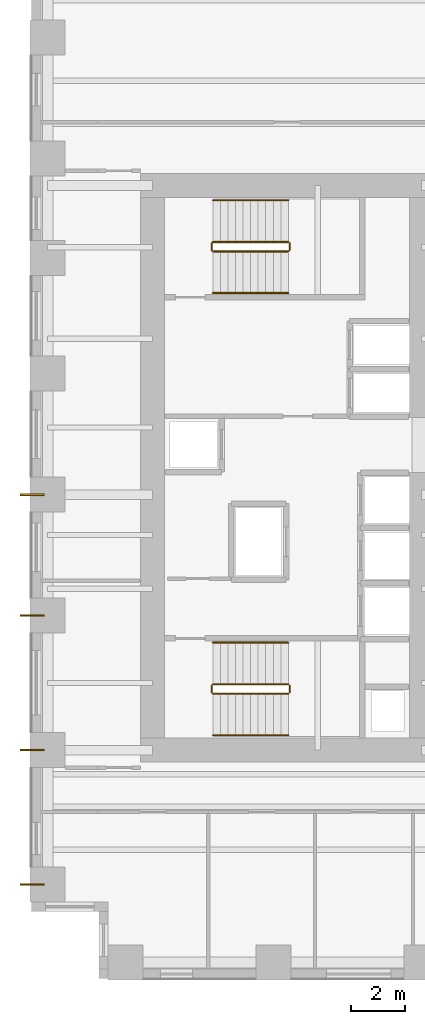
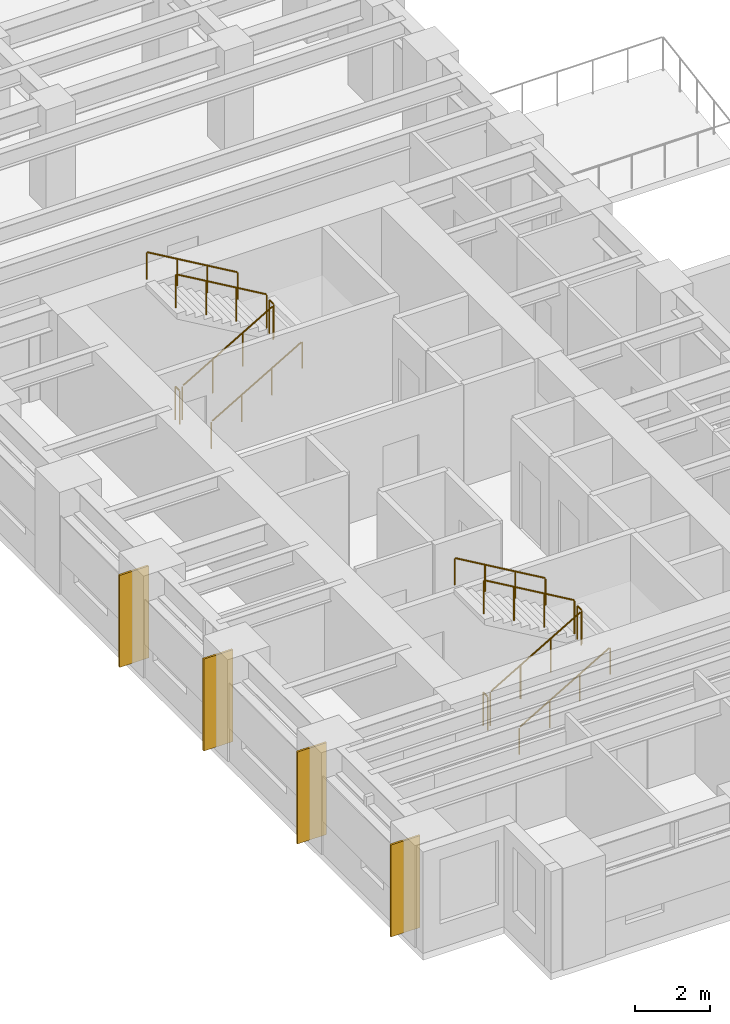
# One storey, part 10 of 11: 12 railings, 4 coverings.
"""IFC4 building model written with IfcOpenShell, lengths in metres."""

import ifcopenshell
import ifcopenshell.guid

model = None  # the IFC model being written
_history = None  # IfcOwnerHistory: only IFC2X3 demands one
_inside = {}  # id of a spatial element -> (the spatial element, [elements in it])
_under = {}  # id of a project, library or spatial element -> (it, [spatial elements below it])
_declared = {}  # id of a project -> (the project, [libraries it declares])
_typed = {}  # id of a type object -> (the type object, [elements of that type])
_made_of = {}  # id of a material, layer set ... -> (it, [elements and type objects made of it])


def new_model(schema):
    """Start an empty IFC model of exactly this schema.

    Asked for "IFC4X3", IfcOpenShell would pick the latest addendum, in which some entities
    have other attributes; the version numbers below select the first issue.
    IFC2X3 requires an IfcOwnerHistory on every rooted entity: one is made here for all.
    """
    global model, _history
    if schema == "IFC4X3":
        model = ifcopenshell.file(schema_version=(4, 3, 0, 0))
    else:
        model = ifcopenshell.file(schema=schema)
    _inside.clear()
    _under.clear()
    _declared.clear()
    _typed.clear()
    _made_of.clear()
    _history = None
    if model.schema == "IFC2X3":
        org = make("IfcOrganization", Name="unknown")
        user = make(
            "IfcPersonAndOrganization",
            ThePerson=make("IfcPerson", FamilyName="unknown"),
            TheOrganization=org,
        )
        app = make(
            "IfcApplication",
            ApplicationDeveloper=org,
            Version="unknown",
            ApplicationFullName="unknown",
            ApplicationIdentifier="unknown",
        )
        _history = make(
            "IfcOwnerHistory",
            OwningUser=user,
            OwningApplication=app,
            ChangeAction="ADDED",
            CreationDate=0,
        )
    return model


def make(cls, **values):
    """One entity of the class cls with the attributes given. An attribute that is None is left unset."""
    return model.create_entity(
        cls, **{name: value for name, value in values.items() if value is not None}
    )


def rooted(cls, **values):
    """An entity with a GlobalId (a new one), such as an element, a storey or a relation."""
    return make(cls, GlobalId=ifcopenshell.guid.new(), OwnerHistory=_history, **values)


def si_unit(unit_type, name, prefix=None):
    """IfcSIUnit, for example si_unit("LENGTHUNIT", "METRE", prefix="MILLI")."""
    return make("IfcSIUnit", UnitType=unit_type, Prefix=prefix, Name=name)


def assignment(units):
    """IfcUnitAssignment: the units of a project."""
    return None if units is None else make("IfcUnitAssignment", Units=units)


def point(xyz):
    """IfcCartesianPoint."""
    return None if xyz is None else make("IfcCartesianPoint", Coordinates=xyz)


def direction(xyz):
    """IfcDirection."""
    return None if xyz is None else make("IfcDirection", DirectionRatios=xyz)


def frame(location, z_axis=None, x_axis=None):
    """IfcAxis2Placement3D, a coordinate frame: its origin and axes. An axis left out is left unset."""
    return make(
        "IfcAxis2Placement3D",
        Location=point(location),
        Axis=direction(z_axis),
        RefDirection=direction(x_axis),
    )


def frame_2d(location, x_axis=None):
    """IfcAxis2Placement2D, a coordinate frame in the plane: its origin and x axis."""
    return make(
        "IfcAxis2Placement2D", Location=point(location), RefDirection=direction(x_axis)
    )


def origin():
    """The frame at (0, 0, 0) with its axes left unset."""
    return frame((0.0, 0.0, 0.0))


def origin_2d():
    """The frame at (0, 0) in the plane with its x axis left unset."""
    return frame_2d((0.0, 0.0))


def place(relative_to, where):
    """IfcLocalPlacement: puts the frame where relative to a parent placement (None: the world)."""
    return make(
        "IfcLocalPlacement", PlacementRelTo=relative_to, RelativePlacement=where
    )


def context(
    kind, dimensions, precision=None, world=None, true_north=None, identifier=None
):
    """IfcGeometricRepresentationContext, for example the 3D "Model" context."""
    return make(
        "IfcGeometricRepresentationContext",
        ContextIdentifier=identifier,
        ContextType=kind,
        CoordinateSpaceDimension=dimensions,
        Precision=precision,
        WorldCoordinateSystem=world,
        TrueNorth=true_north,
    )


def subcontext(parent, identifier, kind, view, scale=None):
    """IfcGeometricRepresentationSubContext, for example "Body" below "Model"."""
    return make(
        "IfcGeometricRepresentationSubContext",
        ContextIdentifier=identifier,
        ContextType=kind,
        ParentContext=parent,
        TargetScale=scale,
        TargetView=view,
    )


def project(units=None, contexts=None):
    """IfcProject with its units and contexts."""
    return rooted(
        "IfcProject",
        Name="project",
        RepresentationContexts=contexts,
        UnitsInContext=assignment(units),
    )


def spatial(cls, under=None, at=None, **own):
    """A site, building, storey or space (cls), placed at a placement, below another one or the project."""
    s = rooted(cls, ObjectPlacement=at, **own)
    if under is not None:
        _under.setdefault(under.id(), (under, []))[1].append(s)
    return s


def profile(cls, at=None, kind="AREA", **sizes):
    """A parametric profile (cls). Its sizes go by their IFC names, for example OverallWidth=200.0."""
    return make(cls, ProfileType=kind, Position=at, **sizes)


def rectangle(**sizes):
    """IfcRectangleProfileDef."""
    return profile("IfcRectangleProfileDef", **sizes)


def circle(**sizes):
    """IfcCircleProfileDef."""
    return profile("IfcCircleProfileDef", **sizes)


def extrude(swept, where, along, depth):
    """IfcExtrudedAreaSolid: the profile swept, set in the frame where, extruded along a direction by depth."""
    return make(
        "IfcExtrudedAreaSolid",
        SweptArea=swept,
        Position=where,
        ExtrudedDirection=direction(along),
        Depth=depth,
    )


def shape(context_of_items, identifier, shape_type, items):
    """IfcShapeRepresentation: the items that make up one representation, for example the "Body"."""
    return make(
        "IfcShapeRepresentation",
        ContextOfItems=context_of_items,
        RepresentationIdentifier=identifier,
        RepresentationType=shape_type,
        Items=items,
    )


def source(mapping_origin, context_of_items, identifier, shape_type, items):
    """IfcRepresentationMap: a shape defined once, which mapped items show again and again."""
    return make(
        "IfcRepresentationMap",
        MappingOrigin=mapping_origin,
        MappedRepresentation=shape(context_of_items, identifier, shape_type, items),
    )


def transform(
    local_origin,
    x_axis=None,
    y_axis=None,
    z_axis=None,
    scale=None,
    scale2=None,
    scale3=None,
    uniform=True,
):
    """IfcCartesianTransformationOperator3D, or its non-uniform kind. x_axis, y_axis, z_axis: its Axis1, 2, 3."""
    if uniform:
        return make(
            "IfcCartesianTransformationOperator3D",
            Axis1=direction(x_axis),
            Axis2=direction(y_axis),
            LocalOrigin=point(local_origin),
            Scale=scale,
            Axis3=direction(z_axis),
        )
    return make(
        "IfcCartesianTransformationOperator3DnonUniform",
        Axis1=direction(x_axis),
        Axis2=direction(y_axis),
        LocalOrigin=point(local_origin),
        Scale=scale,
        Axis3=direction(z_axis),
        Scale2=scale2,
        Scale3=scale3,
    )


def mapped(mapping_source, mapping_target):
    """IfcMappedItem: shows the shape of a source again, moved by a transform."""
    return make(
        "IfcMappedItem", MappingSource=mapping_source, MappingTarget=mapping_target
    )


def material(Name=None, Category=None):
    """IfcMaterial."""
    return make("IfcMaterial", Name=Name, Category=Category)


def layer(
    of_material, thickness, ventilated=None, Name=None, Category=None, Priority=None
):
    """IfcMaterialLayer: one layer of a wall or slab, of a material (None: an air gap)."""
    return make(
        "IfcMaterialLayer",
        Material=of_material,
        LayerThickness=thickness,
        IsVentilated=ventilated,
        Name=Name,
        Category=Category,
        Priority=Priority,
    )


def layer_set(layers, Name=None):
    """IfcMaterialLayerSet."""
    return make("IfcMaterialLayerSet", MaterialLayers=layers, LayerSetName=Name)


def made_of(thing, what):
    """Note that an element or type object is made of a material, layer set ...; save() writes the relation."""
    if what is not None:
        _made_of.setdefault(what.id(), (what, []))[1].append(thing)
    return thing


def type_object(cls, material=None, **own):
    """A type object (cls), such as IfcWallType, which elements share."""
    return made_of(rooted(cls, **own), material)


def element(
    cls,
    number,
    at=None,
    inside=None,
    cuts=None,
    type_object=None,
    material=None,
    context=None,
    identifier="Body",
    shape_type=None,
    held_by="IfcProductDefinitionShape",
    body=None,
    shapes=None,
    **own,
):
    """One element of the class cls, such as IfcWall. Its Tag is "e" and its number.

    at: its placement. inside: the storey or other place that contains it. cuts: it is an
    opening in that element (IfcRelVoidsElement). A single representation is given by context,
    identifier, shape_type and body (its items); several are given by shapes. held_by: the class
    of the entity that holds the representations. save() writes the other relations.
    """
    e = rooted(cls, Tag="e%d" % number, ObjectPlacement=at, **own)
    if body is not None:
        shapes = [shape(context, identifier, shape_type, body)]
    if shapes is not None:
        e.Representation = make(held_by, Representations=shapes)
    if inside is not None:
        _inside.setdefault(inside.id(), (inside, []))[1].append(e)
    if cuts is not None:
        rooted(
            "IfcRelVoidsElement", RelatingBuildingElement=cuts, RelatedOpeningElement=e
        )
    if type_object is not None:
        _typed.setdefault(type_object.id(), (type_object, []))[1].append(e)
    return made_of(e, material)


def aggregate(whole, parts):
    """IfcRelAggregates: a whole, such as a stair, and the parts it consists of."""
    return rooted("IfcRelAggregates", RelatingObject=whole, RelatedObjects=parts)


def save(model, path):
    """Write the relations noted so far, then the file.

    IfcRelAggregates (storeys below a building ...), IfcRelContainedInSpatialStructure (elements
    in a storey), IfcRelDefinesByType, IfcRelAssociatesMaterial and IfcRelDeclares: one each for
    every whole, place, type object, material and project.
    """
    for whole, parts in _under.values():
        aggregate(whole, parts)
    for where, things in _inside.values():
        rooted(
            "IfcRelContainedInSpatialStructure",
            RelatedElements=things,
            RelatingStructure=where,
        )
    for kind, things in _typed.values():
        rooted("IfcRelDefinesByType", RelatedObjects=things, RelatingType=kind)
    for what, things in _made_of.values():
        rooted("IfcRelAssociatesMaterial", RelatedObjects=things, RelatingMaterial=what)
    for by, libraries in _declared.values():
        rooted("IfcRelDeclares", RelatingContext=by, RelatedDefinitions=libraries)
    model.write(path)


model = new_model("IFC4")

# Units and contexts
model_context = context("Model", 3, precision=1e-05, world=origin(), true_north=direction((0.0, 1.0)))
body_context = subcontext(model_context, "Body", "Model", "MODEL_VIEW")
ifc_project = project(units=[si_unit("LENGTHUNIT", "METRE"), si_unit("AREAUNIT", "SQUARE_METRE"), si_unit("VOLUMEUNIT", "CUBIC_METRE"), si_unit("PLANEANGLEUNIT", "RADIAN"), si_unit("MASSUNIT", "GRAM", prefix="KILO")], contexts=[model_context])

# Site, building, storey
site_placement = place(None, origin())
site = spatial("IfcSite", under=ifc_project, at=site_placement, CompositionType="ELEMENT")
building_placement = place(site_placement, origin())
building = spatial("IfcBuilding", under=site, at=building_placement, Name="Kharzan Plaza Tower", CompositionType="ELEMENT")
storey_placement = place(building_placement, frame((0.0, 0.0, 69.300048828125)))
storey = spatial("IfcBuildingStorey", under=building, at=storey_placement, Name="L18", CompositionType="ELEMENT", Elevation=69.300048828125)

# Railings
ifc_material_1 = material(Name="Painted Galvanized Architectural Steel", Category="steel")
ifc_layer_1 = layer(ifc_material_1, 0.074951171875)
ifc_layer_set_1 = layer_set([ifc_layer_1], Name="Painted Galvanized Architectural Steel")
railing_type_1 = type_object("IfcRailingType", Name="RL-GUARD-1120", PredefinedType="BALUSTRADE", material=ifc_layer_set_1)
shared_shape_1 = source(origin(), body_context, "Body", "SweptSolid", [
    extrude(circle(Radius=0.02392578125, at=origin_2d()), frame((0.0, 0.0263671875, 1.09619140625), z_axis=(0.0, 1.0, 0.0), x_axis=(-1.0, 0.0, 0.0)), (0.0, 0.0, 1.0), 0.197021484375),
    extrude(circle(Radius=0.02099609375, at=origin_2d()), origin(), (0.0, 0.0, 1.0), 1.072021484375),
    extrude(circle(Radius=0.02099609375, at=origin_2d()), frame((0.0, 0.25, 0.0)), (0.0, 0.0, 1.0), 1.072021484375),
])
for number, where, name in (
    (1, (9.60009765625, 10.64990234375, 1.800048828125), "L18 ST-1 stair guard 2"),
    (2, (6.699951171875, 10.64990234375, 0.0), "L18 ST-1 stair guard 4"),
    (3, (9.60009765625, 27.10009765625, 1.800048828125), "L18 ST-2 stair guard 2"),
    (4, (6.699951171875, 27.10009765625, 0.0), "L18 ST-2 stair guard 4"),
):
    element("IfcRailing", number, at=place(storey_placement, frame(where)), inside=storey, type_object=railing_type_1, Name=name, PredefinedType="BALUSTRADE", context=body_context, shape_type="MappedRepresentation", body=[
        mapped(shared_shape_1, transform((0.0, 0.0, 0.0), x_axis=(1.0, 0.0, 0.0), y_axis=(0.0, 1.0, 0.0), z_axis=(0.0, 0.0, 1.0))),
    ])

# Coverings
ifc_material_2 = material(Name="Honed Riyadh Limestone", Category="masonry")
ifc_layer_2 = layer(ifc_material_2, 0.06005859375)
ifc_layer_set_2 = layer_set([ifc_layer_2], Name="Honed Riyadh Limestone")
covering_type = type_object("IfcCoveringType", Name="COV-CLAD-STONE", PredefinedType="CLADDING", material=ifc_layer_set_2)
shared_shape_2 = source(origin(), body_context, "Body", "SweptSolid", [
    extrude(rectangle(XDim=0.06005859375, YDim=0.89990234375, at=origin_2d()), origin(), (0.0, 0.0, 1.0), 3.0),
])
for number, where, z_axis, x_axis, name in (
    (5, (0.02001953125, 13.5, 0.099853515625), (0.0, 0.0, 1.0), (0.0, 1.0, 0.0), "L18 Limestone Pier Rainscreen Cladding TCW-135"),
    (6, (0.02001953125, 18.0, 0.099853515625), (0.0, 0.0, 1.0), (0.0, 1.0, 0.0), "L18 Limestone Pier Rainscreen Cladding TCW-180"),
    (7, (0.02001953125, 3.5, 0.099853515625), (0.0, 0.0, 1.0), (0.0, 1.0, 0.0), "L18 Limestone Pier Rainscreen Cladding TCW-35"),
    (8, (0.02001953125, 8.5, 0.099853515625), (0.0, 0.0, 1.0), (0.0, 1.0, 0.0), "L18 Limestone Pier Rainscreen Cladding TCW-85"),
):
    element("IfcCovering", number, at=place(storey_placement, frame(where, z_axis=z_axis, x_axis=x_axis)), inside=storey, type_object=covering_type, Name=name, PredefinedType="CLADDING", context=body_context, shape_type="MappedRepresentation", body=[
        mapped(shared_shape_2, transform((0.0, 0.0, 0.0), x_axis=(1.0, 0.0, 0.0), y_axis=(0.0, 1.0, 0.0), z_axis=(0.0, 0.0, 1.0))),
    ])

# Railings
shared_shape_3 = source(origin(), body_context, "Body", "SweptSolid", [
    extrude(circle(Radius=0.02392578125, at=origin_2d()), frame((0.02294921875, 0.0, 1.109375), z_axis=(0.863360870873, 0.0, 0.504586966384), x_axis=(0.0, 1.0, 0.0)), (0.0, 0.0, 1.0), 3.190185546875),
    extrude(circle(Radius=0.02099609375, at=origin_2d()), origin(), (0.0, 0.0, 1.0), 1.072021484375),
    extrude(circle(Radius=0.02099609375, at=origin_2d()), frame((0.933349609375, 0.0, 0.54541015625)), (0.0, 0.0, 1.0), 1.072021484375),
    extrude(circle(Radius=0.02099609375, at=origin_2d()), frame((1.86669921875, 0.0, 1.091064453125)), (0.0, 0.0, 1.0), 1.072021484375),
    extrude(circle(Radius=0.02099609375, at=origin_2d()), frame((2.800048828125, 0.0, 1.636474609375)), (0.0, 0.0, 1.0), 1.072021484375),
])
for number, where, name in (
    (9, (6.75, 10.60009765625, 0.16357421875), "L18 ST-1 stair guard 1"),
    (10, (6.75, 27.050048828125, 0.16357421875), "L18 ST-2 stair guard 1"),
):
    element("IfcRailing", number, at=place(storey_placement, frame(where)), inside=storey, type_object=railing_type_1, Name=name, PredefinedType="BALUSTRADE", context=body_context, shape_type="MappedRepresentation", body=[
        mapped(shared_shape_3, transform((0.0, 0.0, 0.0), x_axis=(1.0, 0.0, 0.0), y_axis=(0.0, 1.0, 0.0), z_axis=(0.0, 0.0, 1.0))),
    ])
ifc_material_3 = material(Name="Brushed Stainless Steel", Category="steel")
ifc_layer_3 = layer(ifc_material_3, 0.050048828125)
ifc_layer_set_3 = layer_set([ifc_layer_3], Name="Brushed Stainless Steel")
railing_type_2 = type_object("IfcRailingType", Name="RL-STAIR-HR920", PredefinedType="HANDRAIL", material=ifc_layer_set_3)
shared_shape_4 = source(origin(), body_context, "Body", "SweptSolid", [
    extrude(circle(Radius=0.02392578125, at=origin_2d()), frame((0.02294921875, 0.0, 0.88916015625), z_axis=(0.863360870873, 0.0, 0.504586966384), x_axis=(0.0, 1.0, 0.0)), (0.0, 0.0, 1.0), 3.190185546875),
    extrude(circle(Radius=0.02099609375, at=origin_2d()), origin(), (0.0, 0.0, 1.0), 0.851806640625),
    extrude(circle(Radius=0.02099609375, at=origin_2d()), frame((0.933349609375, 0.0, 0.54541015625)), (0.0, 0.0, 1.0), 0.851806640625),
    extrude(circle(Radius=0.02099609375, at=origin_2d()), frame((1.86669921875, 0.0, 1.091064453125)), (0.0, 0.0, 1.0), 0.851806640625),
    extrude(circle(Radius=0.02099609375, at=origin_2d()), frame((2.800048828125, 0.0, 1.636474609375)), (0.0, 0.0, 1.0), 0.851806640625),
])
for number, where, name in (
    (11, (6.75, 9.050048828125, 0.16357421875), "L18 ST-1 stair handrail 1"),
    (12, (6.75, 25.5, 0.16357421875), "L18 ST-2 stair handrail 1"),
):
    element("IfcRailing", number, at=place(storey_placement, frame(where)), inside=storey, type_object=railing_type_2, Name=name, PredefinedType="HANDRAIL", context=body_context, shape_type="MappedRepresentation", body=[
        mapped(shared_shape_4, transform((0.0, 0.0, 0.0), x_axis=(1.0, 0.0, 0.0), y_axis=(0.0, 1.0, 0.0), z_axis=(0.0, 0.0, 1.0))),
    ])
shared_shape_5 = source(origin(), body_context, "Body", "SweptSolid", [
    extrude(circle(Radius=0.02392578125, at=origin_2d()), frame((-0.02294921875, 0.0, 1.109375), z_axis=(-0.863393664356, 0.0, 0.504530851732), x_axis=(0.0, -1.0, 0.0)), (0.0, 0.0, 1.0), 3.190185546875),
    extrude(circle(Radius=0.02099609375, at=origin_2d()), origin(), (0.0, 0.0, 1.0), 1.072021484375),
    extrude(circle(Radius=0.02099609375, at=origin_2d()), frame((-0.933349609375, 0.0, 0.54541015625)), (0.0, 0.0, 1.0), 1.072021484375),
    extrude(circle(Radius=0.02099609375, at=origin_2d()), frame((-1.86669921875, 0.0, 1.0908203125)), (0.0, 0.0, 1.0), 1.072021484375),
    extrude(circle(Radius=0.02099609375, at=origin_2d()), frame((-2.800048828125, 0.0, 1.63623046875)), (0.0, 0.0, 1.0), 1.072021484375),
])
for number, where, name in (
    (13, (9.550048828125, 10.949951171875, 1.963623046875), "L18 ST-1 stair guard 3"),
    (14, (9.550048828125, 27.39990234375, 1.963623046875), "L18 ST-2 stair guard 3"),
):
    element("IfcRailing", number, at=place(storey_placement, frame(where)), inside=storey, type_object=railing_type_1, Name=name, PredefinedType="BALUSTRADE", context=body_context, shape_type="MappedRepresentation", body=[
        mapped(shared_shape_5, transform((0.0, 0.0, 0.0), x_axis=(1.0, 0.0, 0.0), y_axis=(0.0, 1.0, 0.0), z_axis=(0.0, 0.0, 1.0))),
    ])
shared_shape_6 = source(origin(), body_context, "Body", "SweptSolid", [
    extrude(circle(Radius=0.02392578125, at=origin_2d()), frame((-0.02294921875, 0.0, 0.88916015625), z_axis=(-0.863393664356, 0.0, 0.504530851732), x_axis=(0.0, -1.0, 0.0)), (0.0, 0.0, 1.0), 3.190185546875),
    extrude(circle(Radius=0.02099609375, at=origin_2d()), origin(), (0.0, 0.0, 1.0), 0.851806640625),
    extrude(circle(Radius=0.02099609375, at=origin_2d()), frame((-0.933349609375, 0.0, 0.54541015625)), (0.0, 0.0, 1.0), 0.851806640625),
    extrude(circle(Radius=0.02099609375, at=origin_2d()), frame((-1.86669921875, 0.0, 1.0908203125)), (0.0, 0.0, 1.0), 0.851806640625),
    extrude(circle(Radius=0.02099609375, at=origin_2d()), frame((-2.800048828125, 0.0, 1.63623046875)), (0.0, 0.0, 1.0), 0.851806640625),
])
for number, where, name in (
    (15, (9.550048828125, 12.5, 1.963623046875), "L18 ST-1 stair handrail 2"),
    (16, (9.550048828125, 28.949951171875, 1.963623046875), "L18 ST-2 stair handrail 2"),
):
    element("IfcRailing", number, at=place(storey_placement, frame(where)), inside=storey, type_object=railing_type_2, Name=name, PredefinedType="HANDRAIL", context=body_context, shape_type="MappedRepresentation", body=[
        mapped(shared_shape_6, transform((0.0, 0.0, 0.0), x_axis=(1.0, 0.0, 0.0), y_axis=(0.0, 1.0, 0.0), z_axis=(0.0, 0.0, 1.0))),
    ])

save(model, "model.ifc")
